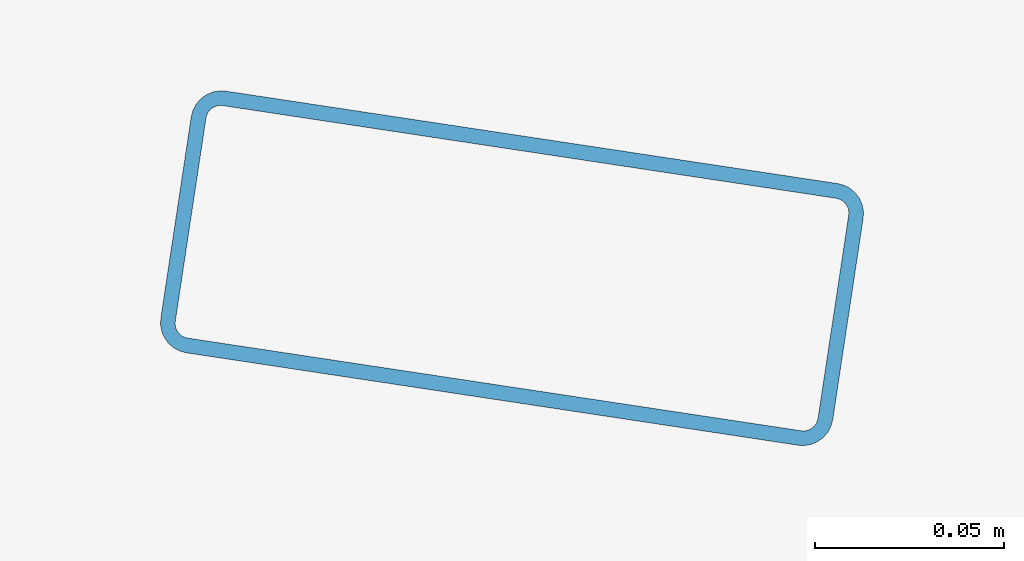
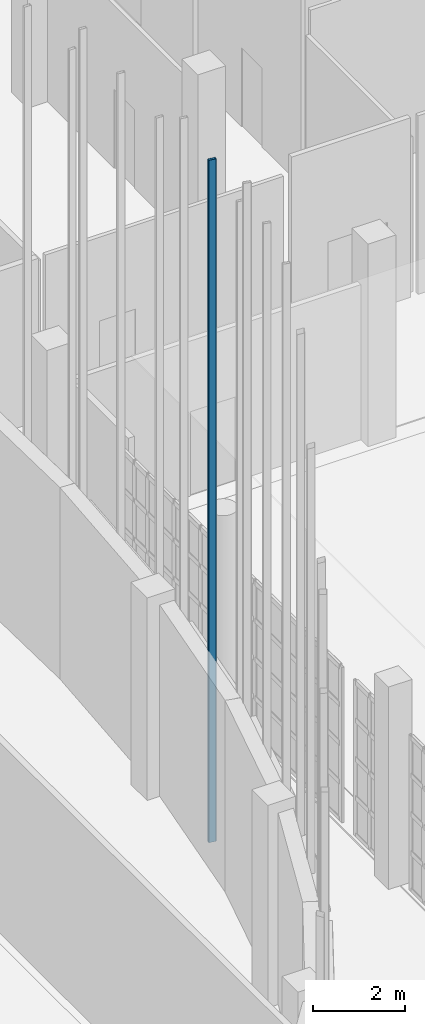
# One storey, part 217 of 372: 1 member.
"""IFC4 building model written with IfcOpenShell, lengths in metres."""

from ifc_helpers import new_model, si_unit, direction, frame, origin, origin_2d, place, context, subcontext, project, spatial, hollow_rectangle, extrude, material, material_profile, profile_set, type_object, element, save


model = new_model("IFC4")

# Units and contexts
model_context = context("Model", 3, precision=1e-05, world=origin(), true_north=direction((0.0, 1.0)))
body_context = subcontext(model_context, "Body", "Model", "MODEL_VIEW")
ifc_project = project(units=[si_unit("LENGTHUNIT", "METRE"), si_unit("AREAUNIT", "SQUARE_METRE"), si_unit("VOLUMEUNIT", "CUBIC_METRE"), si_unit("PLANEANGLEUNIT", "RADIAN"), si_unit("MASSUNIT", "GRAM", prefix="KILO")], contexts=[model_context])

# Site, building, storey
site_placement = place(None, origin())
site = spatial("IfcSite", under=ifc_project, at=site_placement, CompositionType="ELEMENT")
building_placement = place(site_placement, origin())
building = spatial("IfcBuilding", under=site, at=building_placement, Name="Kaelora Sail Theatre", CompositionType="ELEMENT")
storey_placement = place(building_placement, origin())
storey = spatial("IfcBuildingStorey", under=building, at=storey_placement, Name="L00", CompositionType="ELEMENT", Elevation=0.0)

# Member
ifc_material = material(Name="Anodised aluminium 6063-T6", Category="aluminium")
ifc_material_profile = material_profile(ifc_material, hollow_rectangle(XDim=0.070068359375, YDim=0.179931640625, WallThickness=0.00390625, InnerFilletRadius=0.00390625, OuterFilletRadius=0.008056640625, at=origin_2d()), Name="ALU-MULL 70x180x4")
ifc_profile_set = profile_set([ifc_material_profile], Name="Anodised aluminium 6063-T6")
member_type = type_object("IfcMemberType", Name="ARC-MEM-PST-160", PredefinedType="POST", material=ifc_profile_set)
member_placement = place(storey_placement, frame((104.08642578125, 49.365234375, 0.0), z_axis=(0.0, 0.0, 1.0), x_axis=(-0.149362770624, -0.988782464828, 0.0)))
element("IfcMember", 1, at=member_placement, inside=storey, type_object=member_type, Name="Studio Theatre Sail Drum solar louvre vertical support post C3-2", PredefinedType="POST", context=body_context, shape_type="SweptSolid", body=[
    extrude(hollow_rectangle(XDim=0.070068359375, YDim=0.179931640625, WallThickness=0.00390625, InnerFilletRadius=0.00390625, OuterFilletRadius=0.008056640625, at=origin_2d()), origin(), (0.0, 0.0, 1.0), 18.1962890625),
])

save(model, "model.ifc")
